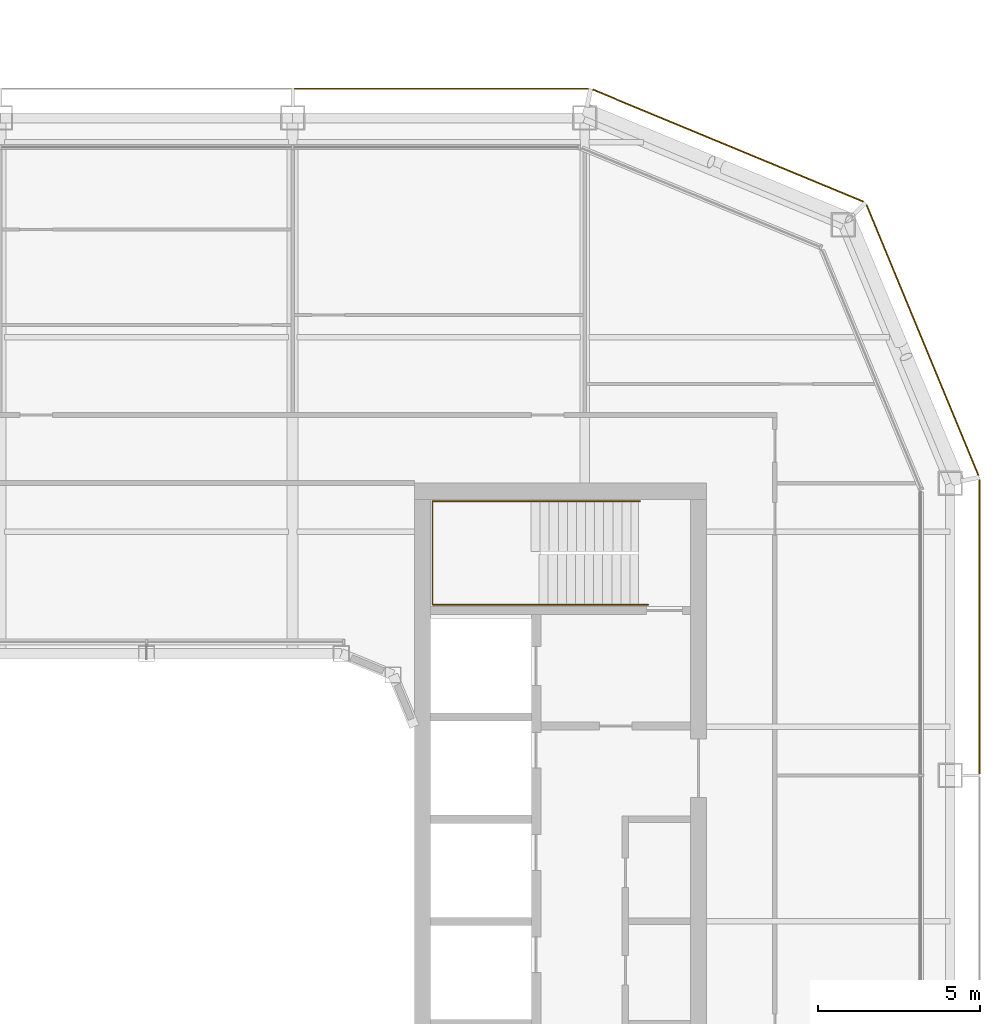
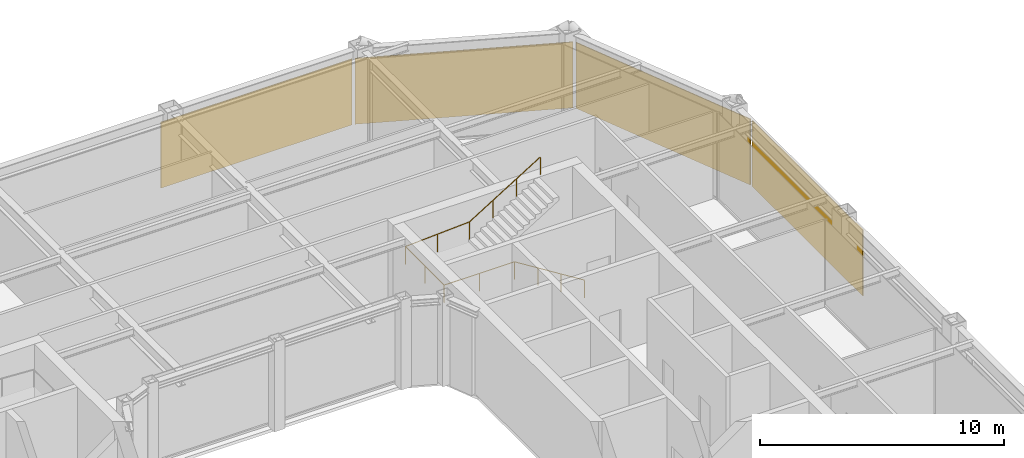
# One storey, part 20 of 21: 4 coverings, 1 railing.
"""IFC4 building model written with IfcOpenShell, lengths in metres."""

from ifc_helpers import new_model, si_unit, direction, frame, origin, origin_2d, place, context, subcontext, project, spatial, rectangle, circle, extrude, material, layer, layer_set, type_object, element, save


model = new_model("IFC4")

# Units and contexts
model_context = context("Model", 3, precision=1e-05, world=origin(), true_north=direction((0.0, 1.0)))
body_context = subcontext(model_context, "Body", "Model", "MODEL_VIEW")
ifc_project = project(units=[si_unit("LENGTHUNIT", "METRE"), si_unit("AREAUNIT", "SQUARE_METRE"), si_unit("VOLUMEUNIT", "CUBIC_METRE"), si_unit("PLANEANGLEUNIT", "RADIAN"), si_unit("MASSUNIT", "GRAM", prefix="KILO")], contexts=[model_context])

# Site, building, storey
site_placement = place(None, origin())
site = spatial("IfcSite", under=ifc_project, at=site_placement, CompositionType="ELEMENT")
building_placement = place(site_placement, origin())
building = spatial("IfcBuilding", under=site, at=building_placement, Name="Siwar Civic Tower", CompositionType="ELEMENT")
storey_placement = place(building_placement, frame((0.0, 0.0, 312.199951171875)))
storey = spatial("IfcBuildingStorey", under=building, at=storey_placement, Name="L67", CompositionType="ELEMENT", Elevation=312.199951171875)

# Railing
ifc_material_1 = material(Name="Stainless steel", Category="steel")
railing_type = type_object("IfcRailingType", Name="CORE-STAIR-HANDRAIL", PredefinedType="HANDRAIL", material=ifc_material_1)
railing_placement = place(storey_placement, frame((15.449951171875, 9.758056640625, 0.173095703125)))
element("IfcRailing", 1, at=railing_placement, inside=storey, type_object=railing_type, Name="Stair handrail ST3", PredefinedType="HANDRAIL", context=body_context, shape_type="SweptSolid", body=[
    extrude(circle(Radius=0.02001953125, at=origin_2d()), frame((0.0, 0.0, 0.8798828125), z_axis=(-0.847063342986, 0.0, 0.531491950051), x_axis=(0.0, -1.0, 0.0)), (0.0, 0.0, 1.0), 3.90771484375),
    extrude(circle(Radius=0.02001953125, at=origin_2d()), frame((-3.31005859375, 0.0, 2.956787109375), z_axis=(-1.0, 0.0, 0.0), x_axis=(0.0, -1.0, 0.0)), (0.0, 0.0, 1.0), 3.331787109375),
    extrude(circle(Radius=0.02001953125, at=origin_2d()), frame((-6.641845703125, 0.0, 2.956787109375), z_axis=(0.0, 1.0, 0.0), x_axis=(-1.0, 0.0, 0.0)), (0.0, 0.0, 1.0), 3.183837890625),
    extrude(circle(Radius=0.02001953125, at=origin_2d()), frame((-6.641845703125, 3.183837890625, 2.956787109375), z_axis=(0.99837434197, 0.0, 0.056997134106), x_axis=(0.0, 1.0, 0.0)), (0.0, 0.0, 1.0), 3.036865234375),
    extrude(circle(Radius=0.02001953125, at=origin_2d()), frame((-3.60986328125, 3.183837890625, 3.1298828125), z_axis=(0.850606129759, 0.0, 0.525803396734), x_axis=(0.0, 1.0, 0.0)), (0.0, 0.0, 1.0), 3.949951171875),
    extrude(circle(Radius=0.02001953125, at=origin_2d()), origin(), (0.0, 0.0, 1.0), 0.85986328125),
    extrude(circle(Radius=0.02001953125, at=origin_2d()), frame((-1.103271484375, 0.0, 0.6923828125)), (0.0, 0.0, 1.0), 0.85986328125),
    extrude(circle(Radius=0.02001953125, at=origin_2d()), frame((-2.206787109375, 0.0, 1.384521484375)), (0.0, 0.0, 1.0), 0.85986328125),
    extrude(circle(Radius=0.02001953125, at=origin_2d()), frame((-3.31005859375, 0.0, 2.076904296875)), (0.0, 0.0, 1.0), 0.85986328125),
    extrude(circle(Radius=0.02001953125, at=origin_2d()), frame((-4.97607421875, 0.0, 2.076904296875)), (0.0, 0.0, 1.0), 0.85986328125),
    extrude(circle(Radius=0.02001953125, at=origin_2d()), frame((-6.641845703125, 0.0, 2.076904296875)), (0.0, 0.0, 1.0), 0.85986328125),
    extrude(circle(Radius=0.02001953125, at=origin_2d()), frame((-6.641845703125, 1.591796875, 2.076904296875)), (0.0, 0.0, 1.0), 0.85986328125),
    extrude(circle(Radius=0.02001953125, at=origin_2d()), frame((-6.641845703125, 3.183837890625, 2.076904296875)), (0.0, 0.0, 1.0), 0.85986328125),
    extrude(circle(Radius=0.02001953125, at=origin_2d()), frame((-5.1259765625, 3.183837890625, 2.16357421875)), (0.0, 0.0, 1.0), 0.85986328125),
    extrude(circle(Radius=0.02001953125, at=origin_2d()), frame((-3.60986328125, 3.183837890625, 2.25)), (0.0, 0.0, 1.0), 0.85986328125),
    extrude(circle(Radius=0.02001953125, at=origin_2d()), frame((-2.489990234375, 3.183837890625, 2.9423828125)), (0.0, 0.0, 1.0), 0.85986328125),
    extrude(circle(Radius=0.02001953125, at=origin_2d()), frame((-1.369873046875, 3.183837890625, 3.634521484375)), (0.0, 0.0, 1.0), 0.85986328125),
    extrude(circle(Radius=0.02001953125, at=origin_2d()), frame((-0.25, 3.183837890625, 4.326904296875)), (0.0, 0.0, 1.0), 0.85986328125),
])

# Coverings
ifc_material_2 = material(Name="Perforated aluminium cassette, pale metal", Category="aluminium")
ifc_layer = layer(ifc_material_2, 0.0400390625)
ifc_layer_set = layer_set([ifc_layer], Name="Perforated aluminium cassette, pale metal")
covering_type = type_object("IfcCoveringType", Name="ENV-OUTER SKIN OS-1", PredefinedType="CLADDING", material=ifc_layer_set)
covering_1_placement = place(storey_placement, frame((25.64990234375, 9.07958984375, -0.14990234375), z_axis=(0.0, 0.0, 1.0), x_axis=(0.0, 1.0, 0.0)))
element("IfcCovering", 2, at=covering_1_placement, inside=storey, type_object=covering_type, Name="OUTER SKIN OS-1 E 3", PredefinedType="CLADDING", context=body_context, shape_type="SweptSolid", body=[
    extrude(rectangle(XDim=9.05908203125, YDim=0.0400390625, at=origin_2d()), origin(), (0.0, 0.0, 1.0), 3.300048828125),
])
for number, where, z_axis, x_axis, name in (
    (3, (23.89697265625, 17.911376953125, -0.14990234375), (0.0, 0.0, 1.0), (-0.382683432365, 0.923879532511, 0.0), "OUTER SKIN OS-1 NE1 1"),
    (4, (17.911376953125, 23.89697265625, -0.14990234375), (0.0, 0.0, 1.0), (-0.923879532511, 0.382683432365, 0.0), "OUTER SKIN OS-1 NE2 1"),
):
    element("IfcCovering", number, at=place(storey_placement, frame(where, z_axis=z_axis, x_axis=x_axis)), inside=storey, type_object=covering_type, Name=name, PredefinedType="CLADDING", context=body_context, shape_type="SweptSolid", body=[
        extrude(rectangle(XDim=9.022216796875, YDim=0.0400390625, at=origin_2d()), origin(), (0.0, 0.0, 1.0), 3.300048828125),
    ])
covering_2_placement = place(storey_placement, frame((9.07958984375, 25.64990234375, -0.14990234375), z_axis=(0.0, 0.0, 1.0), x_axis=(-1.0, 0.0, 0.0)))
element("IfcCovering", 5, at=covering_2_placement, inside=storey, type_object=covering_type, Name="OUTER SKIN OS-1 N 1", PredefinedType="CLADDING", context=body_context, shape_type="SweptSolid", body=[
    extrude(rectangle(XDim=9.05908203125, YDim=0.0400390625, at=origin_2d()), origin(), (0.0, 0.0, 1.0), 3.300048828125),
])

save(model, "model.ifc")
